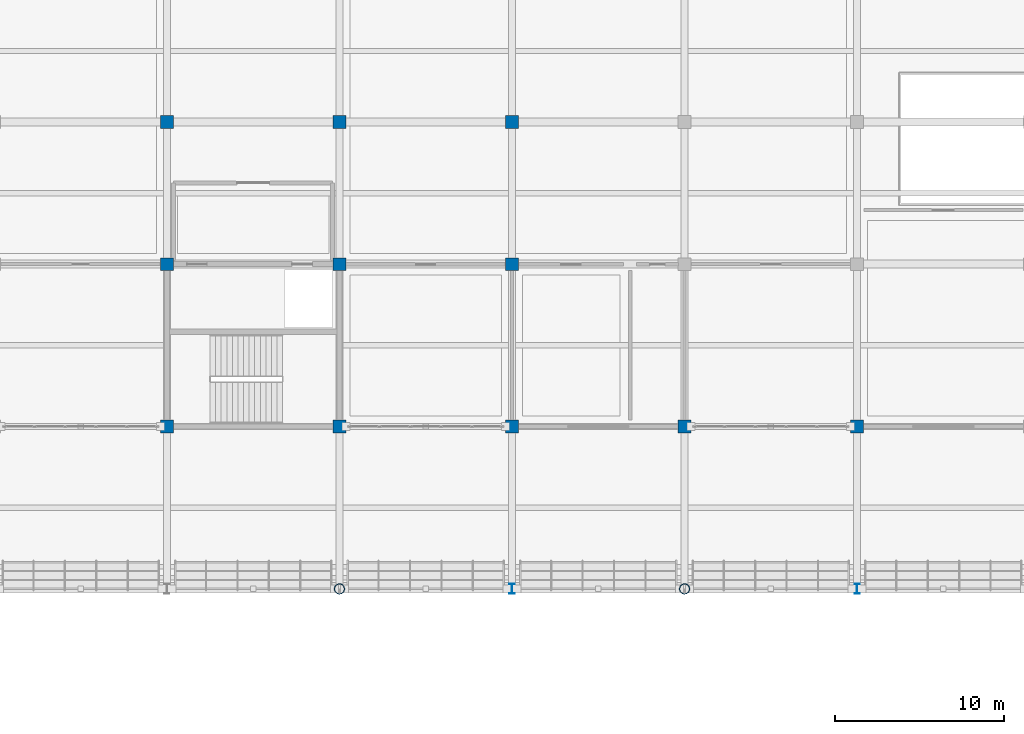
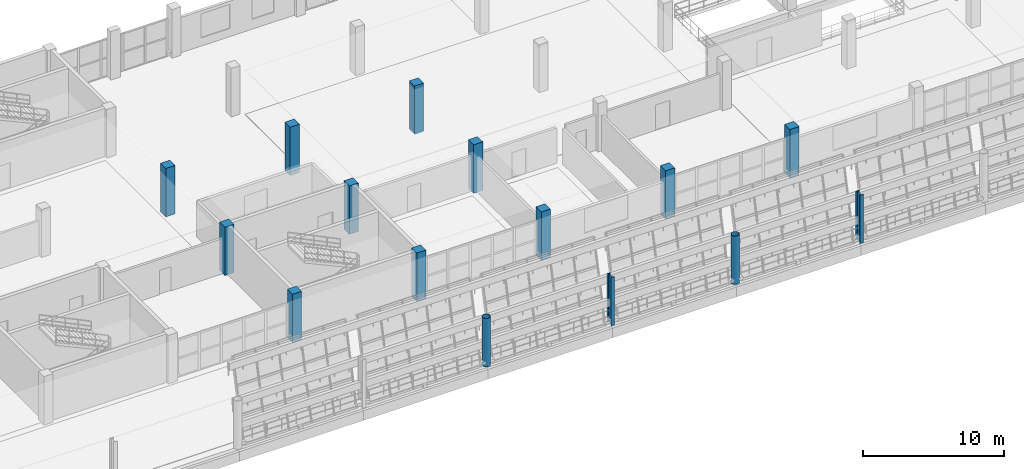
# One storey, part 6 of 157: 15 columns.
"""IFC4 building model written with IfcOpenShell, lengths in metres."""

from ifc_helpers import new_model, si_unit, direction, frame, origin, origin_2d, place, context, subcontext, project, spatial, rectangle, hollow_circle, i_section, extrude, material, material_profile, profile_set, type_object, element, save


model = new_model("IFC4")

# Units and contexts
model_context = context("Model", 3, precision=1e-05, world=origin(), true_north=direction((0.0, 1.0)))
body_context = subcontext(model_context, "Body", "Model", "MODEL_VIEW")
ifc_project = project(units=[si_unit("LENGTHUNIT", "METRE"), si_unit("AREAUNIT", "SQUARE_METRE"), si_unit("VOLUMEUNIT", "CUBIC_METRE"), si_unit("PLANEANGLEUNIT", "RADIAN"), si_unit("MASSUNIT", "GRAM", prefix="KILO")], contexts=[model_context])

# Site, building, storey
site_placement = place(None, origin())
site = spatial("IfcSite", under=ifc_project, at=site_placement, CompositionType="ELEMENT")
building_placement = place(site_placement, origin())
building = spatial("IfcBuilding", under=site, at=building_placement, Name="Brelvane Convention Centre", CompositionType="ELEMENT")
storey_placement = place(building_placement, frame((0.0, 0.0, 10.800048828125)))
storey = spatial("IfcBuildingStorey", under=building, at=storey_placement, Name="L02", CompositionType="ELEMENT", Elevation=10.800048828125)

# Columns
ifc_material_1 = material(Name="Concrete M50", Category="concrete")
ifc_material_profile_1 = material_profile(ifc_material_1, rectangle(XDim=0.75, YDim=0.75, at=origin_2d()), Name="RC 750x750")
ifc_profile_set_1 = profile_set([ifc_material_profile_1], Name="Concrete M50")
column_type_1 = type_object("IfcColumnType", Name="RC Column C-RC3 (RC 750x750)", PredefinedType="COLUMN", material=ifc_profile_set_1)
for number, where, z_axis, x_axis, name in (
    (1, (30.60009765625, 109.199951171875, 0.0), (0.0, 0.0, 1.0), (1.0, 0.0, 0.0), "Column 4-L (L02)"),
    (2, (30.60009765625, 118.800048828125, 0.0), (0.0, 0.0, 1.0), (1.0, 0.0, 0.0), "Column 4-M (L02)"),
    (3, (30.60009765625, 127.199951171875, 0.0), (0.0, 0.0, 1.0), (1.0, 0.0, 0.0), "Column 4-N (L02)"),
    (4, (40.800048828125, 109.199951171875, 0.0), (0.0, 0.0, 1.0), (1.0, 0.0, 0.0), "Column 5-L (L02)"),
    (5, (40.800048828125, 118.800048828125, 0.0), (0.0, 0.0, 1.0), (1.0, 0.0, 0.0), "Column 5-M (L02)"),
    (6, (40.800048828125, 127.199951171875, 0.0), (0.0, 0.0, 1.0), (1.0, 0.0, 0.0), "Column 5-N (L02)"),
    (7, (51.0, 109.199951171875, 0.0), (0.0, 0.0, 1.0), (1.0, 0.0, 0.0), "Column 6-L (L02)"),
    (8, (51.0, 118.800048828125, 0.0), (0.0, 0.0, 1.0), (1.0, 0.0, 0.0), "Column 6-M (L02)"),
    (9, (51.0, 127.199951171875, 0.0), (0.0, 0.0, 1.0), (1.0, 0.0, 0.0), "Column 6-N (L02)"),
    (10, (61.199951171875, 109.199951171875, 0.0), (0.0, 0.0, 1.0), (1.0, 0.0, 0.0), "Column 7-L (L02)"),
    (11, (71.39990234375, 109.199951171875, 0.0), (0.0, 0.0, 1.0), (1.0, 0.0, 0.0), "Column 8-L (L02)"),
):
    element("IfcColumn", number, at=place(storey_placement, frame(where, z_axis=z_axis, x_axis=x_axis)), inside=storey, type_object=column_type_1, Name=name, PredefinedType="COLUMN", context=body_context, shape_type="SweptSolid", body=[
        extrude(rectangle(XDim=0.75, YDim=0.75, at=origin_2d()), origin(), (0.0, 0.0, 1.0), 4.199951171875),
    ])
ifc_material_2 = material(Name="Steel E450 (450 MPa)", Category="steel")
ifc_material_profile_2 = material_profile(ifc_material_2, hollow_circle(Radius=0.304931640625, WallThickness=0.02490234375, at=origin_2d()), Name="CHS 610.0x25.0")
ifc_profile_set_2 = profile_set([ifc_material_profile_2], Name="Steel E450 (450 MPa)")
column_type_2 = type_object("IfcColumnType", Name="Steel Column C-ST1 (CHS 610.0x25.0)", PredefinedType="COLUMN", material=ifc_profile_set_2)
for number, where, z_axis, x_axis, name in (
    (12, (40.800048828125, 99.60009765625, 0.0), (0.0, 0.0, 1.0), (1.0, 0.0, 0.0), "Column 5-K (L02)"),
    (13, (61.199951171875, 99.60009765625, 0.0), (0.0, 0.0, 1.0), (1.0, 0.0, 0.0), "Column 7-K (L02)"),
):
    element("IfcColumn", number, at=place(storey_placement, frame(where, z_axis=z_axis, x_axis=x_axis)), inside=storey, type_object=column_type_2, Name=name, PredefinedType="COLUMN", context=body_context, shape_type="SweptSolid", body=[
        extrude(hollow_circle(Radius=0.304931640625, WallThickness=0.02490234375, at=origin_2d()), origin(), (0.0, 0.0, 1.0), 4.199951171875),
    ])
ifc_material_3 = material(Name="Steel E450 (450 MPa)", Category="steel")
ifc_material_profile_3 = material_profile(ifc_material_3, i_section(OverallWidth=0.300048828125, OverallDepth=0.60009765625, WebThickness=0.015380859375, FlangeThickness=0.030029296875, FilletRadius=0.027099609375, at=origin_2d()), Name="WPB 600x300")
ifc_profile_set_3 = profile_set([ifc_material_profile_3], Name="Steel E450 (450 MPa)")
column_type_3 = type_object("IfcColumnType", Name="Steel Column C-ST5 (WPB 600x300)", PredefinedType="COLUMN", material=ifc_profile_set_3)
for number, where, z_axis, x_axis, name in (
    (14, (51.0, 99.60009765625, 0.0), (0.0, 0.0, 1.0), (1.0, 0.0, 0.0), "Column 6-K (L02)"),
    (15, (71.39990234375, 99.60009765625, 0.0), (0.0, 0.0, 1.0), (1.0, 0.0, 0.0), "Column 8-K (L02)"),
):
    element("IfcColumn", number, at=place(storey_placement, frame(where, z_axis=z_axis, x_axis=x_axis)), inside=storey, type_object=column_type_3, Name=name, PredefinedType="COLUMN", context=body_context, shape_type="SweptSolid", body=[
        extrude(i_section(OverallWidth=0.300048828125, OverallDepth=0.60009765625, WebThickness=0.015380859375, FlangeThickness=0.030029296875, FilletRadius=0.027099609375, at=origin_2d()), origin(), (0.0, 0.0, 1.0), 4.199951171875),
    ])

save(model, "model.ifc")
